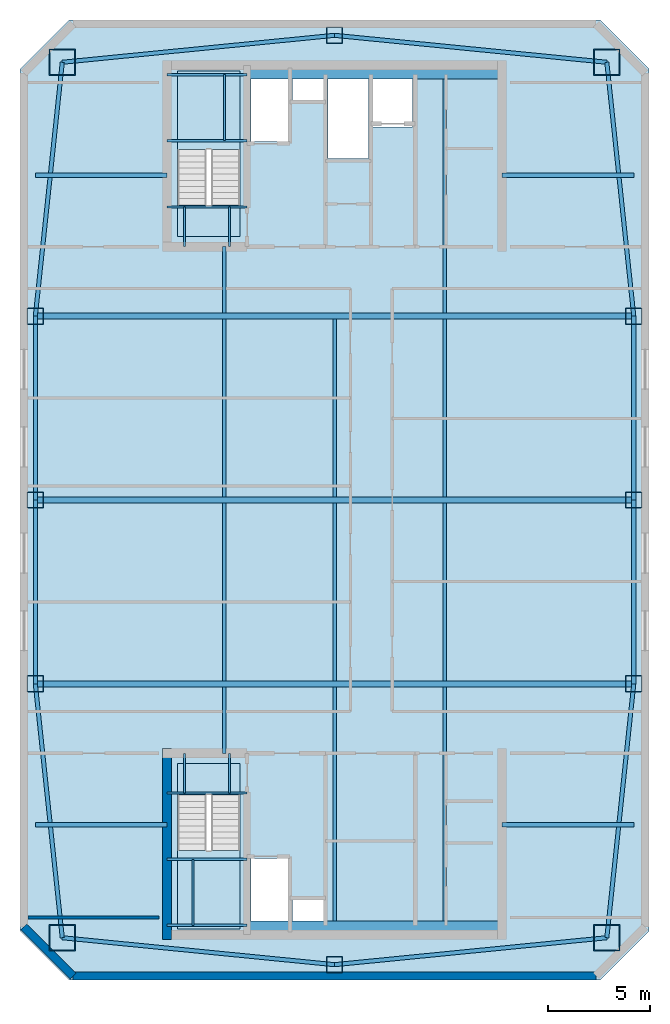
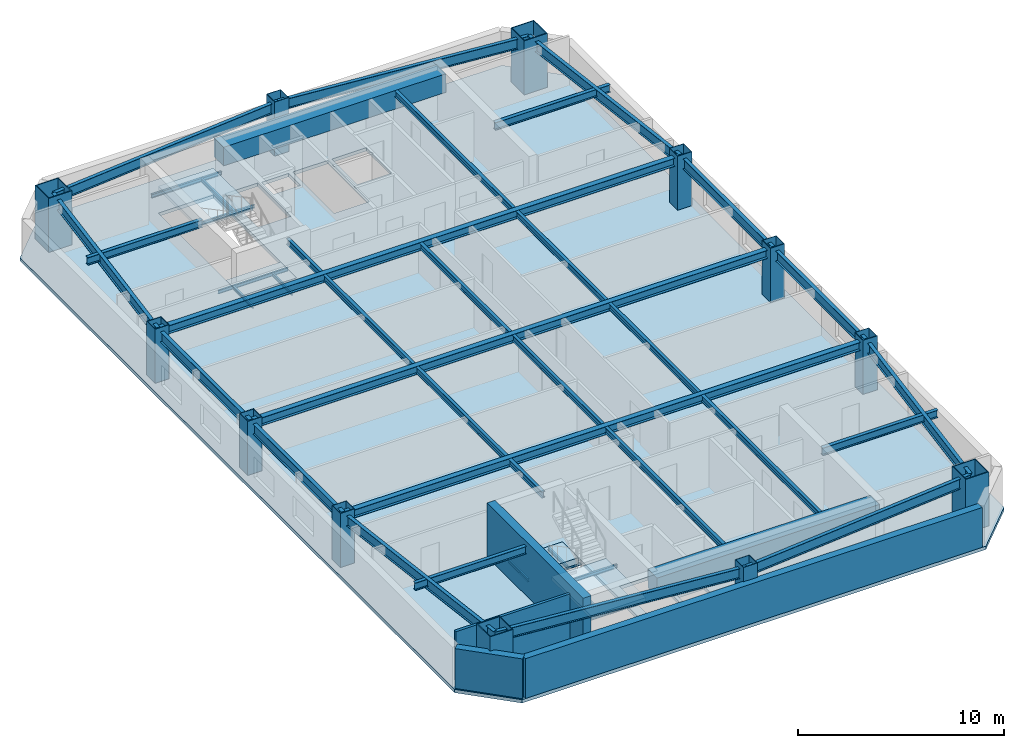
# One storey, part 1 of 5: 44 beams, 12 columns, 5 slabs, 4 walls, 2 elements without a shape of their own.
"""IFC4 building model written with IfcOpenShell, lengths in metres."""

from ifc_helpers import new_model, si_unit, direction, frame, frame_2d, origin, origin_2d, place, context, subcontext, project, spatial, polyline, rectangle, hollow_rectangle, i_section, outline, extrude, material, layer, layer_set, material_profile, profile_set, type_object, element, aggregate, save


model = new_model("IFC4")

# Units and contexts
model_context = context("Model", 3, precision=1e-05, world=origin(), true_north=direction((0.0, 1.0)))
body_context = subcontext(model_context, "Body", "Model", "MODEL_VIEW")
ifc_project = project(units=[si_unit("LENGTHUNIT", "METRE"), si_unit("AREAUNIT", "SQUARE_METRE"), si_unit("VOLUMEUNIT", "CUBIC_METRE"), si_unit("PLANEANGLEUNIT", "RADIAN"), si_unit("MASSUNIT", "GRAM", prefix="KILO")], contexts=[model_context])

# Site, building, storey
site_placement = place(None, origin())
site = spatial("IfcSite", under=ifc_project, at=site_placement, CompositionType="ELEMENT")
building_placement = place(site_placement, origin())
building = spatial("IfcBuilding", under=site, at=building_placement, Name="Qiaolan Cultural Towers", CompositionType="ELEMENT")
storey_placement = place(building_placement, frame((0.0, 0.0, 253.60009765625)))
storey = spatial("IfcBuildingStorey", under=building, at=storey_placement, Name="L69", CompositionType="ELEMENT", Elevation=253.60009765625)

# Columns
ifc_material_1 = material(Name="Steel Q390GJB", Category="steel")
ifc_material_profile_1 = material_profile(ifc_material_1, hollow_rectangle(XDim=1.300048828125, YDim=1.300048828125, WallThickness=0.044921875, at=origin_2d()), Name="BOX1300x1300x45")
ifc_profile_set_1 = profile_set([ifc_material_profile_1], Name="Steel Q390GJB")
column_type_1 = type_object("IfcColumnType", Name="COL-BOX1300x1300x45", PredefinedType="COLUMN", material=ifc_profile_set_1)
for number, where, z_axis, x_axis, name in (
    (1, (16.669921875, 12.570068359375, 0.0), (0.0, 0.0, 1.0), (1.0, 0.0, 0.0), "L69 T1 Perimeter Column MC-SW"),
    (2, (43.330078125, 12.570068359375, 0.0), (0.0, 0.0, 1.0), (1.0, 0.0, 0.0), "L69 T1 Perimeter Column MC-SE"),
    (3, (43.330078125, 55.429931640625, 0.0), (0.0, 0.0, 1.0), (1.0, 0.0, 0.0), "L69 T1 Perimeter Column MC-NE"),
    (4, (16.669921875, 55.429931640625, 0.0), (0.0, 0.0, 1.0), (1.0, 0.0, 0.0), "L69 T1 Perimeter Column MC-NW"),
):
    element("IfcColumn", number, at=place(storey_placement, frame(where, z_axis=z_axis, x_axis=x_axis)), inside=storey, type_object=column_type_1, Name=name, PredefinedType="COLUMN", context=body_context, shape_type="SweptSolid", body=[
        extrude(hollow_rectangle(XDim=1.300048828125, YDim=1.300048828125, WallThickness=0.044921875, at=origin_2d()), origin(), (0.0, 0.0, 1.0), 3.200927734375),
    ])
ifc_material_2 = material(Name="Steel Q355B", Category="steel")
ifc_material_profile_2 = material_profile(ifc_material_2, hollow_rectangle(XDim=0.800048828125, YDim=0.800048828125, WallThickness=0.028076171875, at=origin_2d()), Name="BOX800x800x28")
ifc_profile_set_2 = profile_set([ifc_material_profile_2], Name="Steel Q355B")
column_type_2 = type_object("IfcColumnType", Name="COL-BOX800x800x28", PredefinedType="COLUMN", material=ifc_profile_set_2)
for number, where, z_axis, x_axis, name in (
    (5, (15.35009765625, 25.0, 0.0), (0.0, 0.0, 1.0), (1.0, 0.0, 0.0), "L69 T1 Perimeter Column PC-W1"),
    (6, (15.35009765625, 34.0, 0.0), (0.0, 0.0, 1.0), (1.0, 0.0, 0.0), "L69 T1 Perimeter Column PC-W2"),
    (7, (15.35009765625, 43.0, 0.0), (0.0, 0.0, 1.0), (1.0, 0.0, 0.0), "L69 T1 Perimeter Column PC-W3"),
    (8, (44.64990234375, 25.0, 0.0), (0.0, 0.0, 1.0), (1.0, 0.0, 0.0), "L69 T1 Perimeter Column PC-E1"),
    (9, (44.64990234375, 34.0, 0.0), (0.0, 0.0, 1.0), (1.0, 0.0, 0.0), "L69 T1 Perimeter Column PC-E2"),
    (10, (44.64990234375, 43.0, 0.0), (0.0, 0.0, 1.0), (1.0, 0.0, 0.0), "L69 T1 Perimeter Column PC-E3"),
    (11, (30.0, 11.25, 0.0), (0.0, 0.0, 1.0), (1.0, 0.0, 0.0), "L69 T1 Perimeter Column PC-S0"),
    (12, (30.0, 56.75, 0.0), (0.0, 0.0, 1.0), (1.0, 0.0, 0.0), "L69 T1 Perimeter Column PC-N0"),
):
    element("IfcColumn", number, at=place(storey_placement, frame(where, z_axis=z_axis, x_axis=x_axis)), inside=storey, type_object=column_type_2, Name=name, PredefinedType="COLUMN", context=body_context, shape_type="SweptSolid", body=[
        extrude(hollow_rectangle(XDim=0.800048828125, YDim=0.800048828125, WallThickness=0.028076171875, at=origin_2d()), origin(), (0.0, 0.0, 1.0), 3.200927734375),
    ])

# Beams
ifc_material_3 = material(Name="Steel Q355B", Category="steel")
ifc_material_profile_3 = material_profile(ifc_material_3, i_section(OverallWidth=0.300048828125, OverallDepth=0.488037109375, WebThickness=0.010986328125, FlangeThickness=0.01806640625, at=origin_2d()), Name="HM488x300x11x18")
ifc_profile_set_3 = profile_set([ifc_material_profile_3], Name="Steel Q355B")
beam_type_1 = type_object("IfcBeamType", Name="BM-HM488x300x11x18", PredefinedType="BEAM", material=ifc_profile_set_3)
for number, where, z_axis, x_axis, name in (
    (13, (15.35009765625, 25.0, 2.69580078125), (1.0, 0.0, 0.0), (0.0, 1.0, 0.0), "L69 T1 Primary Transverse Girder V1"),
    (14, (15.35009765625, 34.0, 2.69580078125), (1.0, 0.0, 0.0), (0.0, 1.0, 0.0), "L69 T1 Primary Transverse Girder V2"),
    (15, (15.35009765625, 43.0, 2.69580078125), (1.0, 0.0, 0.0), (0.0, 1.0, 0.0), "L69 T1 Primary Transverse Girder V3"),
):
    element("IfcBeam", number, at=place(storey_placement, frame(where, z_axis=z_axis, x_axis=x_axis)), inside=storey, type_object=beam_type_1, Name=name, PredefinedType="BEAM", context=body_context, shape_type="SweptSolid", body=[
        extrude(i_section(OverallWidth=0.300048828125, OverallDepth=0.488037109375, WebThickness=0.010986328125, FlangeThickness=0.01806640625, at=origin_2d()), origin(), (0.0, 0.0, 1.0), 29.2998046875),
    ])
ifc_material_4 = material(Name="Steel Q355B", Category="steel")
ifc_material_profile_4 = material_profile(ifc_material_4, i_section(OverallWidth=0.175048828125, OverallDepth=0.35009765625, WebThickness=0.007080078125, FlangeThickness=0.010986328125, at=origin_2d()), Name="HN350x175x7x11")
ifc_profile_set_4 = profile_set([ifc_material_profile_4], Name="Steel Q355B")
beam_type_2 = type_object("IfcBeamType", Name="BM-JST-HN350x175x7x11", PredefinedType="JOIST", material=ifc_profile_set_4)
beam_1_placement = place(storey_placement, frame((24.60009765625, 21.60009765625, 2.764892578125), z_axis=(0.0, 1.0, 0.0), x_axis=(-1.0, 0.0, 0.0)))
element("IfcBeam", 16, at=beam_1_placement, inside=storey, type_object=beam_type_2, Name="L69 T1 Secondary Floor Joist U1-1", PredefinedType="JOIST", context=body_context, shape_type="SweptSolid", body=[
    extrude(i_section(OverallWidth=0.175048828125, OverallDepth=0.35009765625, WebThickness=0.007080078125, FlangeThickness=0.010986328125, at=origin_2d()), origin(), (0.0, 0.0, 1.0), 3.25),
])
for number, where, z_axis, x_axis, name in (
    (17, (24.60009765625, 25.14990234375, 2.764892578125), (0.0, 1.0, 0.0), (-1.0, 0.0, 0.0), "L69 T1 Secondary Floor Joist U1-2"),
    (18, (24.60009765625, 34.14990234375, 2.764892578125), (0.0, 1.0, 0.0), (-1.0, 0.0, 0.0), "L69 T1 Secondary Floor Joist U1-3"),
):
    element("IfcBeam", number, at=place(storey_placement, frame(where, z_axis=z_axis, x_axis=x_axis)), inside=storey, type_object=beam_type_2, Name=name, PredefinedType="JOIST", context=body_context, shape_type="SweptSolid", body=[
        extrude(i_section(OverallWidth=0.175048828125, OverallDepth=0.35009765625, WebThickness=0.007080078125, FlangeThickness=0.010986328125, at=origin_2d()), origin(), (0.0, 0.0, 1.0), 8.7001953125),
    ])
beam_2_placement = place(storey_placement, frame((24.60009765625, 43.14990234375, 2.764892578125), z_axis=(0.0, 1.0, 0.0), x_axis=(-1.0, 0.0, 0.0)))
element("IfcBeam", 19, at=beam_2_placement, inside=storey, type_object=beam_type_2, Name="L69 T1 Secondary Floor Joist U1-4", PredefinedType="JOIST", context=body_context, shape_type="SweptSolid", body=[
    extrude(i_section(OverallWidth=0.175048828125, OverallDepth=0.35009765625, WebThickness=0.007080078125, FlangeThickness=0.010986328125, at=origin_2d()), origin(), (0.0, 0.0, 1.0), 3.25),
])
beam_3_placement = place(storey_placement, frame((30.0, 13.39990234375, 2.764892578125), z_axis=(0.0, 1.0, 0.0), x_axis=(-1.0, 0.0, 0.0)))
element("IfcBeam", 20, at=beam_3_placement, inside=storey, type_object=beam_type_2, Name="L69 T1 Secondary Floor Joist U2-1", PredefinedType="JOIST", context=body_context, shape_type="SweptSolid", body=[
    extrude(i_section(OverallWidth=0.175048828125, OverallDepth=0.35009765625, WebThickness=0.007080078125, FlangeThickness=0.010986328125, at=origin_2d()), origin(), (0.0, 0.0, 1.0), 11.4501953125),
])
for number, where, z_axis, x_axis, name in (
    (21, (30.0, 25.14990234375, 2.764892578125), (0.0, 1.0, 0.0), (-1.0, 0.0, 0.0), "L69 T1 Secondary Floor Joist U2-2"),
    (22, (30.0, 34.14990234375, 2.764892578125), (0.0, 1.0, 0.0), (-1.0, 0.0, 0.0), "L69 T1 Secondary Floor Joist U2-3"),
):
    element("IfcBeam", number, at=place(storey_placement, frame(where, z_axis=z_axis, x_axis=x_axis)), inside=storey, type_object=beam_type_2, Name=name, PredefinedType="JOIST", context=body_context, shape_type="SweptSolid", body=[
        extrude(i_section(OverallWidth=0.175048828125, OverallDepth=0.35009765625, WebThickness=0.007080078125, FlangeThickness=0.010986328125, at=origin_2d()), origin(), (0.0, 0.0, 1.0), 8.7001953125),
    ])
beam_4_placement = place(storey_placement, frame((35.39990234375, 13.39990234375, 2.764892578125), z_axis=(0.0, 1.0, 0.0), x_axis=(-1.0, 0.0, 0.0)))
element("IfcBeam", 23, at=beam_4_placement, inside=storey, type_object=beam_type_2, Name="L69 T1 Secondary Floor Joist U3-1", PredefinedType="JOIST", context=body_context, shape_type="SweptSolid", body=[
    extrude(i_section(OverallWidth=0.175048828125, OverallDepth=0.35009765625, WebThickness=0.007080078125, FlangeThickness=0.010986328125, at=origin_2d()), origin(), (0.0, 0.0, 1.0), 11.4501953125),
])
for number, where, z_axis, x_axis, name in (
    (24, (35.39990234375, 25.14990234375, 2.764892578125), (0.0, 1.0, 0.0), (-1.0, 0.0, 0.0), "L69 T1 Secondary Floor Joist U3-2"),
    (25, (35.39990234375, 34.14990234375, 2.764892578125), (0.0, 1.0, 0.0), (-1.0, 0.0, 0.0), "L69 T1 Secondary Floor Joist U3-3"),
):
    element("IfcBeam", number, at=place(storey_placement, frame(where, z_axis=z_axis, x_axis=x_axis)), inside=storey, type_object=beam_type_2, Name=name, PredefinedType="JOIST", context=body_context, shape_type="SweptSolid", body=[
        extrude(i_section(OverallWidth=0.175048828125, OverallDepth=0.35009765625, WebThickness=0.007080078125, FlangeThickness=0.010986328125, at=origin_2d()), origin(), (0.0, 0.0, 1.0), 8.7001953125),
    ])
beam_5_placement = place(storey_placement, frame((35.39990234375, 43.14990234375, 2.764892578125), z_axis=(0.0, 1.0, 0.0), x_axis=(-1.0, 0.0, 0.0)))
element("IfcBeam", 26, at=beam_5_placement, inside=storey, type_object=beam_type_2, Name="L69 T1 Secondary Floor Joist U3-4", PredefinedType="JOIST", context=body_context, shape_type="SweptSolid", body=[
    extrude(i_section(OverallWidth=0.175048828125, OverallDepth=0.35009765625, WebThickness=0.007080078125, FlangeThickness=0.010986328125, at=origin_2d()), origin(), (0.0, 0.0, 1.0), 11.4501953125),
])
ifc_material_5 = material(Name="Steel Q355B", Category="steel")
ifc_material_profile_5 = material_profile(ifc_material_5, i_section(OverallWidth=0.199951171875, OverallDepth=0.449951171875, WebThickness=0.009033203125, FlangeThickness=0.013916015625, at=origin_2d()), Name="HN450x200x9x14")
ifc_profile_set_5 = profile_set([ifc_material_profile_5], Name="Steel Q355B")
beam_type_3 = type_object("IfcBeamType", Name="BM-LNT-HN450x200x9x14", PredefinedType="LINTEL", material=ifc_profile_set_5)
for number, where, z_axis, x_axis, name in (
    (27, (21.800048828125, 18.10009765625, 2.71484375), (-1.0, 0.0, 0.0), (0.0, -1.0, 0.0), "L69 T1 Core Flank Tie Lintel WS"),
    (28, (21.800048828125, 49.89990234375, 2.71484375), (-1.0, 0.0, 0.0), (0.0, -1.0, 0.0), "L69 T1 Core Flank Tie Lintel WN"),
    (29, (38.199951171875, 18.10009765625, 2.71484375), (1.0, 0.0, 0.0), (0.0, 1.0, 0.0), "L69 T1 Core Flank Tie Lintel ES"),
    (30, (38.199951171875, 49.89990234375, 2.71484375), (1.0, 0.0, 0.0), (0.0, 1.0, 0.0), "L69 T1 Core Flank Tie Lintel EN"),
):
    element("IfcBeam", number, at=place(storey_placement, frame(where, z_axis=z_axis, x_axis=x_axis)), inside=storey, type_object=beam_type_3, Name=name, PredefinedType="LINTEL", context=body_context, shape_type="SweptSolid", body=[
        extrude(i_section(OverallWidth=0.199951171875, OverallDepth=0.449951171875, WebThickness=0.009033203125, FlangeThickness=0.013916015625, at=origin_2d()), origin(), (0.0, 0.0, 1.0), 6.449951171875),
    ])
ifc_material_6 = material(Name="Concrete C50", Category="concrete")
ifc_material_profile_6 = material_profile(ifc_material_6, rectangle(XDim=0.89990234375, YDim=1.10009765625, at=origin_2d()), Name="RC900x1100")
ifc_profile_set_6 = profile_set([ifc_material_profile_6], Name="Concrete C50")
beam_type_4 = type_object("IfcBeamType", Name="BM-RC900x1100", PredefinedType="BEAM", material=ifc_profile_set_6)
for number, where, z_axis, x_axis, name in (
    (31, (25.719970703125, 12.949951171875, 2.389892578125), (1.0, 0.0, 0.0), (0.0, 1.0, 0.0), "L69 T1 Core Header Girder S"),
    (32, (25.719970703125, 55.050048828125, 2.389892578125), (1.0, 0.0, 0.0), (0.0, 1.0, 0.0), "L69 T1 Core Header Girder N"),
):
    element("IfcBeam", number, at=place(storey_placement, frame(where, z_axis=z_axis, x_axis=x_axis)), inside=storey, type_object=beam_type_4, Name=name, PredefinedType="BEAM", context=body_context, shape_type="SweptSolid", body=[
        extrude(rectangle(XDim=0.89990234375, YDim=1.10009765625, at=origin_2d()), origin(), (0.0, 0.0, 1.0), 12.47998046875),
    ])
ifc_material_7 = material(Name="Steel Q355B", Category="steel")
ifc_material_profile_7 = material_profile(ifc_material_7, i_section(OverallWidth=0.199951171875, OverallDepth=0.60009765625, WebThickness=0.010986328125, FlangeThickness=0.01708984375, at=origin_2d()), Name="HN600x200x11x17")
ifc_profile_set_7 = profile_set([ifc_material_profile_7], Name="Steel Q355B")
beam_type_5 = type_object("IfcBeamType", Name="BM-SPD-HN600x200x11x17", PredefinedType="SPANDREL", material=ifc_profile_set_7)
for number, where, z_axis, x_axis, name in (
    (33, (16.669921875, 12.570068359375, 2.639892578125), (0.995132371263, -0.098547266143, 0.0), (0.098547266143, 0.995132371263, 0.0), "L69 T1 Perimeter Spandrel Beam 1"),
    (34, (30.0, 11.25, 2.639892578125), (0.995132371263, 0.098547266143, 0.0), (-0.098547266143, 0.995132371263, 0.0), "L69 T1 Perimeter Spandrel Beam 2"),
):
    element("IfcBeam", number, at=place(storey_placement, frame(where, z_axis=z_axis, x_axis=x_axis)), inside=storey, type_object=beam_type_5, Name=name, PredefinedType="SPANDREL", context=body_context, shape_type="SweptSolid", body=[
        extrude(i_section(OverallWidth=0.199951171875, OverallDepth=0.60009765625, WebThickness=0.010986328125, FlangeThickness=0.01708984375, at=origin_2d()), origin(), (0.0, 0.0, 1.0), 13.395263671875),
    ])
beam_6_placement = place(storey_placement, frame((43.330078125, 12.570068359375, 2.639892578125), z_axis=(0.105587580773, 0.994410007384, 0.0), x_axis=(-0.994410007384, 0.105587580773, 0.0)))
element("IfcBeam", 35, at=beam_6_placement, inside=storey, type_object=beam_type_5, Name="L69 T1 Perimeter Spandrel Beam 3", PredefinedType="SPANDREL", context=body_context, shape_type="SweptSolid", body=[
    extrude(i_section(OverallWidth=0.199951171875, OverallDepth=0.60009765625, WebThickness=0.010986328125, FlangeThickness=0.01708984375, at=origin_2d()), origin(), (0.0, 0.0, 1.0), 12.499755859375),
])
for number, where, z_axis, x_axis, name in (
    (36, (44.64990234375, 25.0, 2.639892578125), (0.0, 1.0, 0.0), (-1.0, 0.0, 0.0), "L69 T1 Perimeter Spandrel Beam 4"),
    (37, (44.64990234375, 34.0, 2.639892578125), (0.0, 1.0, 0.0), (-1.0, 0.0, 0.0), "L69 T1 Perimeter Spandrel Beam 5"),
):
    element("IfcBeam", number, at=place(storey_placement, frame(where, z_axis=z_axis, x_axis=x_axis)), inside=storey, type_object=beam_type_5, Name=name, PredefinedType="SPANDREL", context=body_context, shape_type="SweptSolid", body=[
        extrude(i_section(OverallWidth=0.199951171875, OverallDepth=0.60009765625, WebThickness=0.010986328125, FlangeThickness=0.01708984375, at=origin_2d()), origin(), (0.0, 0.0, 1.0), 9.0),
    ])
beam_7_placement = place(storey_placement, frame((44.64990234375, 43.0, 2.639892578125), z_axis=(-0.105587580773, 0.994410007384, 0.0), x_axis=(-0.994410007384, -0.105587580773, 0.0)))
element("IfcBeam", 38, at=beam_7_placement, inside=storey, type_object=beam_type_5, Name="L69 T1 Perimeter Spandrel Beam 6", PredefinedType="SPANDREL", context=body_context, shape_type="SweptSolid", body=[
    extrude(i_section(OverallWidth=0.199951171875, OverallDepth=0.60009765625, WebThickness=0.010986328125, FlangeThickness=0.01708984375, at=origin_2d()), origin(), (0.0, 0.0, 1.0), 12.499755859375),
])
for number, where, z_axis, x_axis, name in (
    (39, (43.330078125, 55.429931640625, 2.639892578125), (-0.995132371263, 0.098547266143, 0.0), (-0.098547266143, -0.995132371263, 0.0), "L69 T1 Perimeter Spandrel Beam 7"),
    (40, (30.0, 56.75, 2.639892578125), (-0.995132371263, -0.098547266143, 0.0), (0.098547266143, -0.995132371263, 0.0), "L69 T1 Perimeter Spandrel Beam 8"),
):
    element("IfcBeam", number, at=place(storey_placement, frame(where, z_axis=z_axis, x_axis=x_axis)), inside=storey, type_object=beam_type_5, Name=name, PredefinedType="SPANDREL", context=body_context, shape_type="SweptSolid", body=[
        extrude(i_section(OverallWidth=0.199951171875, OverallDepth=0.60009765625, WebThickness=0.010986328125, FlangeThickness=0.01708984375, at=origin_2d()), origin(), (0.0, 0.0, 1.0), 13.395263671875),
    ])
beam_8_placement = place(storey_placement, frame((16.669921875, 55.429931640625, 2.639892578125), z_axis=(-0.105587580773, -0.994410007384, 0.0), x_axis=(0.994410007384, -0.105587580773, 0.0)))
element("IfcBeam", 41, at=beam_8_placement, inside=storey, type_object=beam_type_5, Name="L69 T1 Perimeter Spandrel Beam 9", PredefinedType="SPANDREL", context=body_context, shape_type="SweptSolid", body=[
    extrude(i_section(OverallWidth=0.199951171875, OverallDepth=0.60009765625, WebThickness=0.010986328125, FlangeThickness=0.01708984375, at=origin_2d()), origin(), (0.0, 0.0, 1.0), 12.499755859375),
])
for number, where, z_axis, x_axis, name in (
    (42, (15.35009765625, 43.0, 2.639892578125), (0.0, -1.0, 0.0), (1.0, 0.0, 0.0), "L69 T1 Perimeter Spandrel Beam 10"),
    (43, (15.35009765625, 34.0, 2.639892578125), (0.0, -1.0, 0.0), (1.0, 0.0, 0.0), "L69 T1 Perimeter Spandrel Beam 11"),
):
    element("IfcBeam", number, at=place(storey_placement, frame(where, z_axis=z_axis, x_axis=x_axis)), inside=storey, type_object=beam_type_5, Name=name, PredefinedType="SPANDREL", context=body_context, shape_type="SweptSolid", body=[
        extrude(i_section(OverallWidth=0.199951171875, OverallDepth=0.60009765625, WebThickness=0.010986328125, FlangeThickness=0.01708984375, at=origin_2d()), origin(), (0.0, 0.0, 1.0), 9.0),
    ])
beam_9_placement = place(storey_placement, frame((15.35009765625, 25.0, 2.639892578125), z_axis=(0.105587580773, -0.994410007384, 0.0), x_axis=(0.994410007384, 0.105587580773, 0.0)))
element("IfcBeam", 44, at=beam_9_placement, inside=storey, type_object=beam_type_5, Name="L69 T1 Perimeter Spandrel Beam 12", PredefinedType="SPANDREL", context=body_context, shape_type="SweptSolid", body=[
    extrude(i_section(OverallWidth=0.199951171875, OverallDepth=0.60009765625, WebThickness=0.010986328125, FlangeThickness=0.01708984375, at=origin_2d()), origin(), (0.0, 0.0, 1.0), 12.499755859375),
])
ifc_material_8 = material(Name="Steel Q355B", Category="steel")
ifc_material_profile_8 = material_profile(ifc_material_8, i_section(OverallWidth=0.10009765625, OverallDepth=0.199951171875, WebThickness=0.005615234375, FlangeThickness=0.008056640625, at=origin_2d()), Name="HN200x100x5.5x8")
ifc_profile_set_8 = profile_set([ifc_material_profile_8], Name="Steel Q355B")
beam_type_6 = type_object("IfcBeamType", Name="BM-STTRIM-200", PredefinedType="BEAM", material=ifc_profile_set_8)
beam_10_placement = place(storey_placement, frame((21.800048828125, 19.659912109375, -0.460205078125), z_axis=(1.0, 0.0, 0.0), x_axis=(0.0, 1.0, 0.0)))
element("IfcBeam", 45, at=beam_10_placement, inside=storey, type_object=beam_type_6, Name="L69 ST-W1 Floor Landing Header Beam", PredefinedType="BEAM", context=body_context, shape_type="SweptSolid", body=[
    extrude(i_section(OverallWidth=0.10009765625, OverallDepth=0.199951171875, WebThickness=0.005615234375, FlangeThickness=0.008056640625, at=origin_2d()), origin(), (0.0, 0.0, 1.0), 3.919921875),
])
for number, where, z_axis, x_axis, name in (
    (46, (22.64990234375, 21.60009765625, -0.460205078125), (0.0, -1.0, 0.0), (1.0, 0.0, 0.0), "L69 ST-W1 Floor Landing Stringer 1"),
    (47, (24.85009765625, 21.60009765625, -0.460205078125), (0.0, -1.0, 0.0), (1.0, 0.0, 0.0), "L69 ST-W1 Floor Landing Stringer 2"),
):
    element("IfcBeam", number, at=place(storey_placement, frame(where, z_axis=z_axis, x_axis=x_axis)), inside=storey, type_object=beam_type_6, Name=name, PredefinedType="BEAM", context=body_context, shape_type="SweptSolid", body=[
        extrude(i_section(OverallWidth=0.10009765625, OverallDepth=0.199951171875, WebThickness=0.005615234375, FlangeThickness=0.008056640625, at=origin_2d()), origin(), (0.0, 0.0, 1.0), 1.940185546875),
    ])
for number, where, z_axis, x_axis, name in (
    (48, (21.800048828125, 16.411376953125, 1.2998046875), (1.0, 0.0, 0.0), (0.0, 1.0, 0.0), "L69 ST-W1 Stair Landing Support Beam 1-1"),
    (49, (21.800048828125, 13.179931640625, 1.2998046875), (1.0, 0.0, 0.0), (0.0, 1.0, 0.0), "L69 ST-W1 Stair Landing Support Beam 1-2"),
):
    element("IfcBeam", number, at=place(storey_placement, frame(where, z_axis=z_axis, x_axis=x_axis)), inside=storey, type_object=beam_type_6, Name=name, PredefinedType="BEAM", context=body_context, shape_type="SweptSolid", body=[
        extrude(i_section(OverallWidth=0.10009765625, OverallDepth=0.199951171875, WebThickness=0.005615234375, FlangeThickness=0.008056640625, at=origin_2d()), origin(), (0.0, 0.0, 1.0), 3.919921875),
    ])
beam_11_placement = place(storey_placement, frame((23.070068359375, 16.411376953125, 1.2998046875), z_axis=(0.0, -1.0, 0.0), x_axis=(1.0, 0.0, 0.0)))
element("IfcBeam", 50, at=beam_11_placement, inside=storey, type_object=beam_type_6, Name="L69 ST-W1 Stair Landing Trimmer 1", PredefinedType="BEAM", context=body_context, shape_type="SweptSolid", body=[
    extrude(i_section(OverallWidth=0.10009765625, OverallDepth=0.199951171875, WebThickness=0.005615234375, FlangeThickness=0.008056640625, at=origin_2d()), origin(), (0.0, 0.0, 1.0), 3.2314453125),
])
beam_12_placement = place(storey_placement, frame((21.800048828125, 48.340087890625, -0.460205078125), z_axis=(1.0, 0.0, 0.0), x_axis=(0.0, 1.0, 0.0)))
element("IfcBeam", 51, at=beam_12_placement, inside=storey, type_object=beam_type_6, Name="L69 ST-W2 Floor Landing Header Beam", PredefinedType="BEAM", context=body_context, shape_type="SweptSolid", body=[
    extrude(i_section(OverallWidth=0.10009765625, OverallDepth=0.199951171875, WebThickness=0.005615234375, FlangeThickness=0.008056640625, at=origin_2d()), origin(), (0.0, 0.0, 1.0), 3.919921875),
])
for number, where, z_axis, x_axis, name in (
    (52, (22.64990234375, 46.39990234375, -0.460205078125), (0.0, 1.0, 0.0), (-1.0, 0.0, 0.0), "L69 ST-W2 Floor Landing Stringer 1"),
    (53, (24.85009765625, 46.39990234375, -0.460205078125), (0.0, 1.0, 0.0), (-1.0, 0.0, 0.0), "L69 ST-W2 Floor Landing Stringer 2"),
):
    element("IfcBeam", number, at=place(storey_placement, frame(where, z_axis=z_axis, x_axis=x_axis)), inside=storey, type_object=beam_type_6, Name=name, PredefinedType="BEAM", context=body_context, shape_type="SweptSolid", body=[
        extrude(i_section(OverallWidth=0.10009765625, OverallDepth=0.199951171875, WebThickness=0.005615234375, FlangeThickness=0.008056640625, at=origin_2d()), origin(), (0.0, 0.0, 1.0), 1.940185546875),
    ])
for number, where, z_axis, x_axis, name in (
    (54, (21.800048828125, 51.588623046875, 1.2998046875), (1.0, 0.0, 0.0), (0.0, 1.0, 0.0), "L69 ST-W2 Stair Landing Support Beam 1-1"),
    (55, (21.800048828125, 54.820068359375, 1.2998046875), (1.0, 0.0, 0.0), (0.0, 1.0, 0.0), "L69 ST-W2 Stair Landing Support Beam 1-2"),
):
    element("IfcBeam", number, at=place(storey_placement, frame(where, z_axis=z_axis, x_axis=x_axis)), inside=storey, type_object=beam_type_6, Name=name, PredefinedType="BEAM", context=body_context, shape_type="SweptSolid", body=[
        extrude(i_section(OverallWidth=0.10009765625, OverallDepth=0.199951171875, WebThickness=0.005615234375, FlangeThickness=0.008056640625, at=origin_2d()), origin(), (0.0, 0.0, 1.0), 3.919921875),
    ])
beam_13_placement = place(storey_placement, frame((24.610107421875, 51.588623046875, 1.2998046875), z_axis=(0.0, 1.0, 0.0), x_axis=(-1.0, 0.0, 0.0)))
element("IfcBeam", 56, at=beam_13_placement, inside=storey, type_object=beam_type_6, Name="L69 ST-W2 Stair Landing Trimmer 1", PredefinedType="BEAM", context=body_context, shape_type="SweptSolid", body=[
    extrude(i_section(OverallWidth=0.10009765625, OverallDepth=0.199951171875, WebThickness=0.005615234375, FlangeThickness=0.008056640625, at=origin_2d()), origin(), (0.0, 0.0, 1.0), 3.2314453125),
])

# Slab
ifc_material_9 = material(Name="Concrete C45", Category="concrete")
ifc_layer_1 = layer(ifc_material_9, 0.199951171875)
ifc_layer_set_1 = layer_set([ifc_layer_1], Name="Concrete C45")
slab_type_1 = type_object("IfcSlabType", Name="SL-HI-200", PredefinedType="FLOOR", material=ifc_layer_set_1)
slab_1_placement = place(storey_placement, frame((0.0, 0.0, -0.2001953125)))
element("IfcSlab", 57, at=slab_1_placement, inside=storey, type_object=slab_type_1, Name="L69 West Tower Floor Slab", PredefinedType="FLOOR", context=body_context, shape_type="SweptSolid", body=[
    extrude(outline(polyline([(17.0, 10.5), (43.0, 10.5), (45.39990234375, 12.89990234375), (45.39990234375, 55.10009765625), (43.0, 57.5), (17.0, 57.5), (14.60009765625, 55.10009765625), (14.60009765625, 12.89990234375), (17.0, 10.5)]), holes=[polyline([(22.300048828125, 21.10009765625), (22.300048828125, 13.0), (25.3798828125, 13.0), (25.3798828125, 21.10009765625), (22.300048828125, 21.10009765625)]), polyline([(25.3798828125, 46.89990234375), (25.3798828125, 55.0), (22.300048828125, 55.0), (22.300048828125, 46.89990234375), (25.3798828125, 46.89990234375)]), polyline([(25.89990234375, 13.199951171875), (27.75, 13.199951171875), (27.75, 16.449951171875), (25.89990234375, 16.449951171875), (25.89990234375, 13.199951171875)]), polyline([(27.93994140625, 13.25), (29.449951171875, 13.25), (29.449951171875, 14.419921875), (27.93994140625, 14.419921875), (27.93994140625, 13.25)]), polyline([(25.89990234375, 51.550048828125), (27.75, 51.550048828125), (27.75, 54.800048828125), (25.89990234375, 54.800048828125), (25.89990234375, 51.550048828125)]), polyline([(27.93994140625, 53.580078125), (29.449951171875, 53.580078125), (29.449951171875, 54.75), (27.93994140625, 54.75), (27.93994140625, 53.580078125)]), polyline([(31.8798828125, 52.27001953125), (33.820068359375, 52.27001953125), (33.820068359375, 54.75), (31.8798828125, 54.75), (31.8798828125, 52.27001953125)]), polyline([(29.679931640625, 50.719970703125), (31.659912109375, 50.719970703125), (31.659912109375, 54.75), (29.679931640625, 54.75), (29.679931640625, 50.719970703125)])]), origin(), (0.0, 0.0, 1.0), 0.2001953125),
])

# Stair, slab
ifc_material_10 = material(Name="Concrete C45", Category="concrete")
stair_type = type_object("IfcStairType", Name="STR-CORE-1500", PredefinedType="HALF_TURN_STAIR", material=ifc_material_10)
stair_1_placement = place(storey_placement, origin())
stair_1 = element("IfcStair", 58, at=stair_1_placement, inside=storey, type_object=stair_type, Name="L69 Smokeproof Exit Stair ST-W1", PredefinedType="HALF_TURN_STAIR")
ifc_material_11 = material(Name="Concrete C45", Category="concrete")
ifc_layer_2 = layer(ifc_material_11, 0.199951171875)
ifc_layer_set_2 = layer_set([ifc_layer_2], Name="Concrete C45")
slab_type_2 = type_object("IfcSlabType", Name="SL-STAIR-LAND", PredefinedType="LANDING", material=ifc_layer_set_2)
slab_2_placement = place(storey_placement, frame((0.0, 0.0, 1.39990234375)))
slab_2 = element("IfcSlab", 59, at=slab_2_placement, type_object=slab_type_2, Name="ST-W1 landing 1", PredefinedType="LANDING", context=body_context, shape_type="SweptSolid", body=[
    extrude(outline(polyline([(22.300048828125, 16.851318359375), (22.300048828125, 13.0), (25.3798828125, 13.0), (25.3798828125, 16.851318359375), (22.300048828125, 16.851318359375)])), origin(), (0.0, 0.0, 1.0), 0.199951171875),
])
aggregate(stair_1, [slab_2])

stair_2_placement = place(storey_placement, origin())
stair_2 = element("IfcStair", 60, at=stair_2_placement, inside=storey, type_object=stair_type, Name="L69 Smokeproof Exit Stair ST-W2", PredefinedType="HALF_TURN_STAIR")
slab_3_placement = place(storey_placement, frame((0.0, 0.0, 1.39990234375)))
slab_3 = element("IfcSlab", 61, at=slab_3_placement, type_object=slab_type_2, Name="ST-W2 landing 1", PredefinedType="LANDING", context=body_context, shape_type="SweptSolid", body=[
    extrude(outline(polyline([(25.3798828125, 51.148681640625), (25.3798828125, 55.0), (22.300048828125, 55.0), (22.300048828125, 51.148681640625), (25.3798828125, 51.148681640625)])), origin(), (0.0, 0.0, 1.0), 0.199951171875),
])
aggregate(stair_2, [slab_3])

# Slabs
ifc_material_12 = material(Name="Concrete C40", Category="concrete")
ifc_layer_3 = layer(ifc_material_12, 0.360107421875)
ifc_layer_set_3 = layer_set([ifc_layer_3], Name="Concrete C40")
slab_type_3 = type_object("IfcSlabType", Name="SL-STFLR-360", PredefinedType="LANDING", material=ifc_layer_set_3)
slab_4_placement = place(storey_placement, frame((0.0, 0.0, -0.360107421875)))
element("IfcSlab", 62, at=slab_4_placement, inside=storey, type_object=slab_type_3, Name="L69 ST-W1 Stair Floor Landing Slab", PredefinedType="LANDING", context=body_context, shape_type="SweptSolid", body=[
    extrude(outline(polyline([(22.302001953125, 21.097900390625), (22.302001953125, 19.548583984375), (25.3779296875, 19.548583984375), (25.3779296875, 21.097900390625), (22.302001953125, 21.097900390625)])), origin(), (0.0, 0.0, 1.0), 0.360107421875),
])
slab_5_placement = place(storey_placement, frame((0.0, 0.0, -0.360107421875)))
element("IfcSlab", 63, at=slab_5_placement, inside=storey, type_object=slab_type_3, Name="L69 ST-W2 Stair Floor Landing Slab", PredefinedType="LANDING", context=body_context, shape_type="SweptSolid", body=[
    extrude(outline(polyline([(25.3779296875, 46.902099609375), (25.3779296875, 48.451416015625), (22.302001953125, 48.451416015625), (22.302001953125, 46.902099609375), (25.3779296875, 46.902099609375)])), origin(), (0.0, 0.0, 1.0), 0.360107421875),
])

# Walls
ifc_material_13 = material(Name="Concrete C50", Category="concrete")
ifc_layer_4 = layer(ifc_material_13, 0.449951171875)
ifc_layer_set_4 = layer_set([ifc_layer_4], Name="Concrete C50")
wall_type_1 = type_object("IfcWallType", Name="WL-CORE-450", PredefinedType="SHEAR", material=ifc_layer_set_4)
wall_1_placement = place(storey_placement, frame((21.800048828125, 21.824951171875, 0.0), z_axis=(0.0, 0.0, 1.0), x_axis=(0.0, -1.0, 0.0)))
element("IfcWall", 64, at=wall_1_placement, inside=storey, type_object=wall_type_1, Name="L69 T1-CS West Core Shear Wall", PredefinedType="SHEAR", context=body_context, shape_type="SweptSolid", body=[
    extrude(rectangle(XDim=9.329833984375, YDim=0.449951171875, at=frame_2d((4.6650390625, 0.0))), origin(), (0.0, 0.0, 1.0), 3.199951171875),
])
ifc_material_14 = material(Name="Precast Concrete C50 Honed Stone Pier", Category="masonry")
ifc_layer_5 = layer(ifc_material_14, 0.39990234375)
ifc_layer_set_5 = layer_set([ifc_layer_5], Name="Precast Concrete C50 Honed Stone Pier")
wall_type_2 = type_object("IfcWallType", Name="WL-EXT-PIER-400", PredefinedType="SOLIDWALL", material=ifc_layer_set_5)
wall_2_placement = place(storey_placement, frame((42.800048828125, 10.699951171875, 0.0), z_axis=(0.0, 0.0, 1.0), x_axis=(-1.0, 0.0, 0.0)))
element("IfcWall", 65, at=wall_2_placement, inside=storey, type_object=wall_type_2, Name="L69 West Tower Precast Pier Facade Wall F7", PredefinedType="SOLIDWALL", context=body_context, shape_type="SweptSolid", body=[
    extrude(rectangle(XDim=25.60009765625, YDim=0.39990234375, at=frame_2d((12.800048828125, 0.0))), origin(), (0.0, 0.0, 1.0), 2.35986328125),
])
wall_3_placement = place(storey_placement, frame((17.199951171875, 10.699951171875, 0.0), z_axis=(0.0, 0.0, 1.0), x_axis=(-0.707070815327, 0.707142745217, 0.0)))
element("IfcWall", 66, at=wall_3_placement, inside=storey, type_object=wall_type_2, Name="L69 West Tower Precast Pier Facade Wall F8", PredefinedType="SOLIDWALL", context=body_context, shape_type="SweptSolid", body=[
    extrude(rectangle(XDim=3.39404296875, YDim=0.39990234375, at=frame_2d((1.697021484375, 0.0))), origin(), (0.0, 0.0, 1.0), 2.35986328125),
])
ifc_material_15 = material(Name="Autoclaved Aerated Concrete Block B06", Category="concrete")
ifc_layer_6 = layer(ifc_material_15, 0.14990234375)
ifc_layer_set_6 = layer_set([ifc_layer_6], Name="Autoclaved Aerated Concrete Block B06")
wall_type_3 = type_object("IfcWallType", Name="WL-PART-150", PredefinedType="PARTITIONING", material=ifc_layer_set_6)
wall_4_placement = place(storey_placement, frame((15.0, 13.550048828125, 0.0), z_axis=(0.0, 0.0, 1.0), x_axis=(1.0, 0.0, 0.0)))
element("IfcWall", 67, at=wall_4_placement, inside=storey, type_object=wall_type_3, Name="L69 T1 Flank Wall FLK-SW", PredefinedType="PARTITIONING", context=body_context, shape_type="SweptSolid", body=[
    extrude(rectangle(XDim=6.39990234375, YDim=0.14990234375, at=frame_2d((3.199951171875, 0.0))), origin(), (0.0, 0.0, 1.0), 2.9248046875),
])

save(model, "model.ifc")
